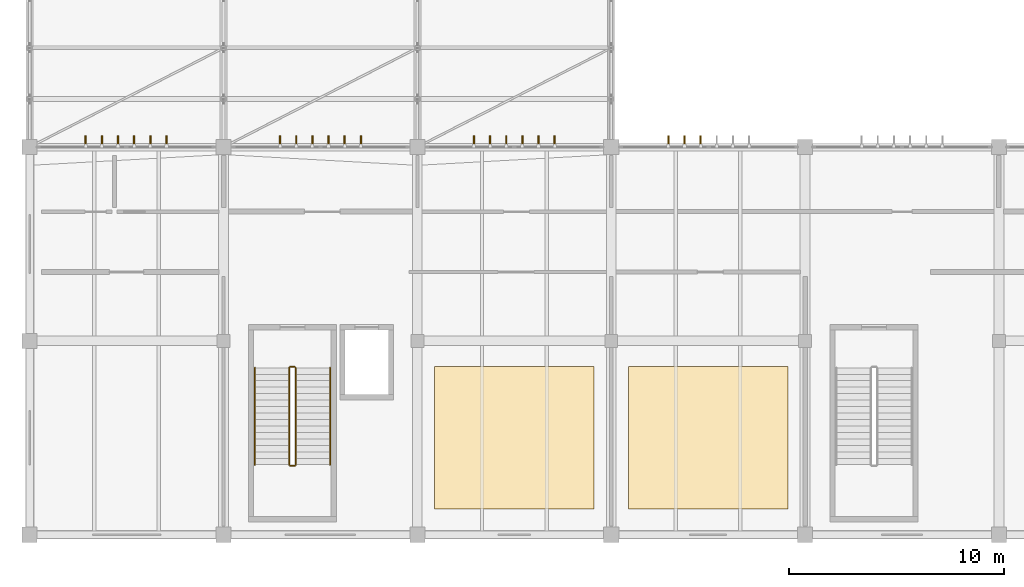
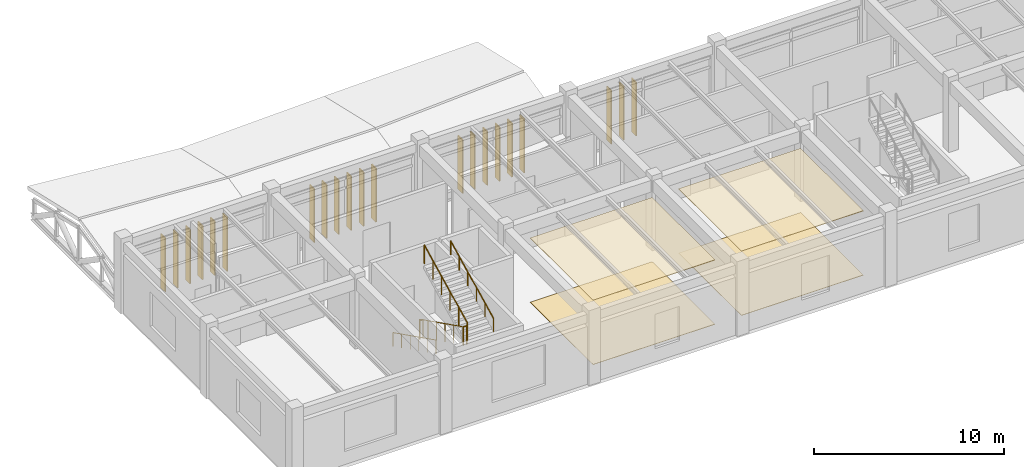
# One storey, part 55 of 61: 21 shading devices, 6 railings, 4 coverings.
"""IFC4 building model written with IfcOpenShell, lengths in metres."""

from ifc_helpers import new_model, si_unit, direction, frame, origin, origin_2d, place, context, subcontext, project, spatial, polyline, rectangle, circle, outline, extrude, material, layer, layer_set, type_object, element, save


model = new_model("IFC4")

# Units and contexts
model_context = context("Model", 3, precision=1e-05, world=origin(), true_north=direction((0.0, 1.0)))
body_context = subcontext(model_context, "Body", "Model", "MODEL_VIEW")
ifc_project = project(units=[si_unit("LENGTHUNIT", "METRE"), si_unit("AREAUNIT", "SQUARE_METRE"), si_unit("VOLUMEUNIT", "CUBIC_METRE"), si_unit("PLANEANGLEUNIT", "RADIAN"), si_unit("MASSUNIT", "GRAM", prefix="KILO")], contexts=[model_context])

# Site, building, storey
site_placement = place(None, origin())
site = spatial("IfcSite", under=ifc_project, at=site_placement, CompositionType="ELEMENT")
building_placement = place(site_placement, origin())
building = spatial("IfcBuilding", under=site, at=building_placement, Name="Bozkorgan Art Gallery", CompositionType="ELEMENT")
storey_placement = place(building_placement, frame((0.0, 0.0, 10.199951171875)))
storey = spatial("IfcBuildingStorey", under=building, at=storey_placement, Name="L02", CompositionType="ELEMENT", Elevation=10.199951171875)

# Coverings
ifc_material_1 = material(Name="Micro-Perforated Acoustic Gypsum Board")
ifc_layer_1 = layer(ifc_material_1, 0.034912109375, Name="Micro-Perforated Acoustic Gypsum Board")
ifc_layer_set_1 = layer_set([ifc_layer_1], Name="Micro-Perforated Acoustic Gypsum Board")
covering_type_1 = type_object("IfcCoveringType", Name="COV-CEIL-01", PredefinedType="CEILING", material=ifc_layer_set_1)
covering_1_placement = place(storey_placement, frame((0.0, 0.0, 4.114990234375)))
element("IfcCovering", 1, at=covering_1_placement, inside=storey, type_object=covering_type_1, Name="V1 L02 acoustic gallery ceiling 5", PredefinedType="CEILING", context=body_context, shape_type="SweptSolid", body=[
    extrude(outline(polyline([(20.800048828125, 3.199951171875), (28.199951171875, 3.199951171875), (28.199951171875, 9.800048828125), (20.800048828125, 9.800048828125), (20.800048828125, 3.199951171875)])), origin(), (0.0, 0.0, 1.0), 0.03515625),
])
covering_2_placement = place(storey_placement, frame((0.0, 0.0, 4.114990234375)))
element("IfcCovering", 2, at=covering_2_placement, inside=storey, type_object=covering_type_1, Name="V1 L02 acoustic gallery ceiling 6", PredefinedType="CEILING", context=body_context, shape_type="SweptSolid", body=[
    extrude(outline(polyline([(29.800048828125, 3.199951171875), (37.199951171875, 3.199951171875), (37.199951171875, 9.800048828125), (29.800048828125, 9.800048828125), (29.800048828125, 3.199951171875)])), origin(), (0.0, 0.0, 1.0), 0.03515625),
])
ifc_material_2 = material(Name="Polished Kordai Granite Terrazzo", Category="masonry")
ifc_layer_2 = layer(ifc_material_2, 0.02490234375, Name="Polished Kordai Granite Terrazzo")
ifc_layer_set_2 = layer_set([ifc_layer_2], Name="Polished Kordai Granite Terrazzo")
covering_type_2 = type_object("IfcCoveringType", Name="COV-FLR-01", PredefinedType="FLOORING", material=ifc_layer_set_2)
covering_3_placement = place(storey_placement, origin())
element("IfcCovering", 3, at=covering_3_placement, inside=storey, type_object=covering_type_2, Name="V1 L02 terrazzo gallery flooring 5", PredefinedType="FLOORING", context=body_context, shape_type="SweptSolid", body=[
    extrude(outline(polyline([(20.800048828125, 3.199951171875), (28.199951171875, 3.199951171875), (28.199951171875, 9.800048828125), (20.800048828125, 9.800048828125), (20.800048828125, 3.199951171875)])), origin(), (0.0, 0.0, 1.0), 0.025146484375),
])
covering_4_placement = place(storey_placement, origin())
element("IfcCovering", 4, at=covering_4_placement, inside=storey, type_object=covering_type_2, Name="V1 L02 terrazzo gallery flooring 6", PredefinedType="FLOORING", context=body_context, shape_type="SweptSolid", body=[
    extrude(outline(polyline([(29.800048828125, 3.199951171875), (37.199951171875, 3.199951171875), (37.199951171875, 9.800048828125), (29.800048828125, 9.800048828125), (29.800048828125, 3.199951171875)])), origin(), (0.0, 0.0, 1.0), 0.025146484375),
])

# Railings
ifc_material_3 = material(Name="Steel S355J2", Category="steel")
railing_type_1 = type_object("IfcRailingType", Name="RAIL-GRD-115", PredefinedType="GUARDRAIL", material=ifc_material_3)
railing_1_placement = place(storey_placement, frame((14.050048828125, 9.75, 0.150146484375)))
element("IfcRailing", 5, at=railing_1_placement, inside=storey, type_object=railing_type_1, Name="L02 ST1 stair guard 1", PredefinedType="GUARDRAIL", context=body_context, shape_type="SweptSolid", body=[
    extrude(circle(Radius=0.02392578125, at=origin_2d()), frame((0.0, 0.0, 1.17578125), z_axis=(0.0, -0.894427191, 0.4472135955), x_axis=(1.0, 0.0, 0.0)), (0.0, 0.0, 1.0), 5.03125),
    extrude(circle(Radius=0.02099609375, at=origin_2d()), origin(), (0.0, 0.0, 1.0), 1.15185546875),
    extrude(circle(Radius=0.02099609375, at=origin_2d()), frame((0.0, -0.89990234375, 0.449951171875)), (0.0, 0.0, 1.0), 1.15185546875),
    extrude(circle(Radius=0.02099609375, at=origin_2d()), frame((0.0, -1.800048828125, 0.89990234375)), (0.0, 0.0, 1.0), 1.15185546875),
    extrude(circle(Radius=0.02099609375, at=origin_2d()), frame((0.0, -2.699951171875, 1.35009765625)), (0.0, 0.0, 1.0), 1.15185546875),
    extrude(circle(Radius=0.02099609375, at=origin_2d()), frame((0.0, -3.60009765625, 1.800048828125)), (0.0, 0.0, 1.0), 1.15185546875),
    extrude(circle(Radius=0.02099609375, at=origin_2d()), frame((0.0, -4.5, 2.25)), (0.0, 0.0, 1.0), 1.15185546875),
])
railing_2_placement = place(storey_placement, frame((14.10009765625, 5.199951171875, 2.400146484375)))
element("IfcRailing", 6, at=railing_2_placement, inside=storey, type_object=railing_type_1, Name="L02 ST1 stair guard 2", PredefinedType="GUARDRAIL", context=body_context, shape_type="SweptSolid", body=[
    extrude(circle(Radius=0.02392578125, at=origin_2d()), frame((0.0, 0.0, 1.17578125), z_axis=(1.0, 0.0, 0.0), x_axis=(0.0, 1.0, 0.0)), (0.0, 0.0, 1.0), 0.199951171875),
    extrude(circle(Radius=0.02099609375, at=origin_2d()), origin(), (0.0, 0.0, 1.0), 1.15185546875),
    extrude(circle(Radius=0.02099609375, at=origin_2d()), frame((0.199951171875, 0.0, 0.0)), (0.0, 0.0, 1.0), 1.15185546875),
])
railing_3_placement = place(storey_placement, frame((14.35009765625, 5.25, 2.550048828125)))
element("IfcRailing", 7, at=railing_3_placement, inside=storey, type_object=railing_type_1, Name="L02 ST1 stair guard 3", PredefinedType="GUARDRAIL", context=body_context, shape_type="SweptSolid", body=[
    extrude(circle(Radius=0.02392578125, at=origin_2d()), frame((0.0, 0.0, 1.17578125), z_axis=(0.0, 0.894427191, 0.4472135955), x_axis=(-1.0, 0.0, 0.0)), (0.0, 0.0, 1.0), 5.03125),
    extrude(circle(Radius=0.02099609375, at=origin_2d()), origin(), (0.0, 0.0, 1.0), 1.15185546875),
    extrude(circle(Radius=0.02099609375, at=origin_2d()), frame((0.0, 0.89990234375, 0.449951171875)), (0.0, 0.0, 1.0), 1.15185546875),
    extrude(circle(Radius=0.02099609375, at=origin_2d()), frame((0.0, 1.800048828125, 0.89990234375)), (0.0, 0.0, 1.0), 1.15185546875),
    extrude(circle(Radius=0.02099609375, at=origin_2d()), frame((0.0, 2.699951171875, 1.35009765625)), (0.0, 0.0, 1.0), 1.15185546875),
    extrude(circle(Radius=0.02099609375, at=origin_2d()), frame((0.0, 3.60009765625, 1.800048828125)), (0.0, 0.0, 1.0), 1.15185546875),
    extrude(circle(Radius=0.02099609375, at=origin_2d()), frame((0.0, 4.5, 2.25)), (0.0, 0.0, 1.0), 1.15185546875),
])
railing_4_placement = place(storey_placement, frame((14.10009765625, 9.800048828125, 0.0)))
element("IfcRailing", 8, at=railing_4_placement, inside=storey, type_object=railing_type_1, Name="L02 ST1 stair guard 4", PredefinedType="GUARDRAIL", context=body_context, shape_type="SweptSolid", body=[
    extrude(circle(Radius=0.02392578125, at=origin_2d()), frame((0.0, 0.0, 1.17578125), z_axis=(1.0, 0.0, 0.0), x_axis=(0.0, 1.0, 0.0)), (0.0, 0.0, 1.0), 0.199951171875),
    extrude(circle(Radius=0.02099609375, at=origin_2d()), origin(), (0.0, 0.0, 1.0), 1.15185546875),
    extrude(circle(Radius=0.02099609375, at=origin_2d()), frame((0.199951171875, 0.0, 0.0)), (0.0, 0.0, 1.0), 1.15185546875),
])
railing_type_2 = type_object("IfcRailingType", Name="RAIL-HND-092", PredefinedType="HANDRAIL", material=ifc_material_3)
railing_5_placement = place(storey_placement, frame((12.449951171875, 9.75, 0.150146484375)))
element("IfcRailing", 9, at=railing_5_placement, inside=storey, type_object=railing_type_2, Name="L02 ST1 stair handrail 1", PredefinedType="HANDRAIL", context=body_context, shape_type="SweptSolid", body=[
    extrude(circle(Radius=0.02392578125, at=origin_2d()), frame((0.0, 0.0, 0.8759765625), z_axis=(0.0, -0.894427191, 0.4472135955), x_axis=(1.0, 0.0, 0.0)), (0.0, 0.0, 1.0), 5.03125),
    extrude(circle(Radius=0.02099609375, at=origin_2d()), origin(), (0.0, 0.0, 1.0), 0.851806640625),
    extrude(circle(Radius=0.02099609375, at=origin_2d()), frame((0.0, -0.89990234375, 0.449951171875)), (0.0, 0.0, 1.0), 0.851806640625),
    extrude(circle(Radius=0.02099609375, at=origin_2d()), frame((0.0, -1.800048828125, 0.89990234375)), (0.0, 0.0, 1.0), 0.851806640625),
    extrude(circle(Radius=0.02099609375, at=origin_2d()), frame((0.0, -2.699951171875, 1.35009765625)), (0.0, 0.0, 1.0), 0.851806640625),
    extrude(circle(Radius=0.02099609375, at=origin_2d()), frame((0.0, -3.60009765625, 1.800048828125)), (0.0, 0.0, 1.0), 0.851806640625),
    extrude(circle(Radius=0.02099609375, at=origin_2d()), frame((0.0, -4.5, 2.25)), (0.0, 0.0, 1.0), 0.851806640625),
])
railing_6_placement = place(storey_placement, frame((15.949951171875, 5.25, 2.550048828125)))
element("IfcRailing", 10, at=railing_6_placement, inside=storey, type_object=railing_type_2, Name="L02 ST1 stair handrail 2", PredefinedType="HANDRAIL", context=body_context, shape_type="SweptSolid", body=[
    extrude(circle(Radius=0.02392578125, at=origin_2d()), frame((0.0, 0.0, 0.8759765625), z_axis=(0.0, 0.894427191, 0.4472135955), x_axis=(-1.0, 0.0, 0.0)), (0.0, 0.0, 1.0), 5.03125),
    extrude(circle(Radius=0.02099609375, at=origin_2d()), origin(), (0.0, 0.0, 1.0), 0.851806640625),
    extrude(circle(Radius=0.02099609375, at=origin_2d()), frame((0.0, 0.89990234375, 0.449951171875)), (0.0, 0.0, 1.0), 0.851806640625),
    extrude(circle(Radius=0.02099609375, at=origin_2d()), frame((0.0, 1.800048828125, 0.89990234375)), (0.0, 0.0, 1.0), 0.851806640625),
    extrude(circle(Radius=0.02099609375, at=origin_2d()), frame((0.0, 2.699951171875, 1.35009765625)), (0.0, 0.0, 1.0), 0.851806640625),
    extrude(circle(Radius=0.02099609375, at=origin_2d()), frame((0.0, 3.60009765625, 1.800048828125)), (0.0, 0.0, 1.0), 0.851806640625),
    extrude(circle(Radius=0.02099609375, at=origin_2d()), frame((0.0, 4.5, 2.25)), (0.0, 0.0, 1.0), 0.851806640625),
])

# Shading devices
ifc_material_4 = material(Name="Polychrome Vitrified Ceramic Tile")
shading_device_type = type_object("IfcShadingDeviceType", Name="SHD-FIN-01", PredefinedType="USERDEFINED", material=ifc_material_4)
for number, where, z_axis, x_axis, name in (
    (11, (4.60009765625, 20.280029296875, 0.139892578125), (0.0, 0.0, 1.0), (0.0, 1.0, 0.0), "CW-V1-L02-1N-02 vertical solar fin 1"),
    (12, (5.35009765625, 20.280029296875, 0.139892578125), (0.0, 0.0, 1.0), (0.0, 1.0, 0.0), "CW-V1-L02-1N-02 vertical solar fin 2"),
    (13, (6.10009765625, 20.280029296875, 0.139892578125), (0.0, 0.0, 1.0), (0.0, 1.0, 0.0), "CW-V1-L02-1N-02 vertical solar fin 3"),
    (14, (6.85009765625, 20.280029296875, 0.139892578125), (0.0, 0.0, 1.0), (0.0, 1.0, 0.0), "CW-V1-L02-1N-02 vertical solar fin 4"),
    (15, (7.60009765625, 20.280029296875, 0.139892578125), (0.0, 0.0, 1.0), (0.0, 1.0, 0.0), "CW-V1-L02-1N-02 vertical solar fin 5"),
    (16, (8.35009765625, 20.280029296875, 0.139892578125), (0.0, 0.0, 1.0), (0.0, 1.0, 0.0), "CW-V1-L02-1N-02 vertical solar fin 6"),
    (17, (13.625, 20.280029296875, 0.139892578125), (0.0, 0.0, 1.0), (0.0, 1.0, 0.0), "CW-V1-L02-1N-04 vertical solar fin 1"),
    (18, (14.375, 20.280029296875, 0.139892578125), (0.0, 0.0, 1.0), (0.0, 1.0, 0.0), "CW-V1-L02-1N-04 vertical solar fin 2"),
    (19, (15.125, 20.280029296875, 0.139892578125), (0.0, 0.0, 1.0), (0.0, 1.0, 0.0), "CW-V1-L02-1N-04 vertical solar fin 3"),
    (20, (15.875, 20.280029296875, 0.139892578125), (0.0, 0.0, 1.0), (0.0, 1.0, 0.0), "CW-V1-L02-1N-04 vertical solar fin 4"),
    (21, (16.625, 20.280029296875, 0.139892578125), (0.0, 0.0, 1.0), (0.0, 1.0, 0.0), "CW-V1-L02-1N-04 vertical solar fin 5"),
    (22, (17.375, 20.280029296875, 0.139892578125), (0.0, 0.0, 1.0), (0.0, 1.0, 0.0), "CW-V1-L02-1N-04 vertical solar fin 6"),
    (23, (22.625, 20.280029296875, 0.139892578125), (0.0, 0.0, 1.0), (0.0, 1.0, 0.0), "CW-V1-L02-1N-06 vertical solar fin 1"),
    (24, (23.375, 20.280029296875, 0.139892578125), (0.0, 0.0, 1.0), (0.0, 1.0, 0.0), "CW-V1-L02-1N-06 vertical solar fin 2"),
    (25, (24.125, 20.280029296875, 0.139892578125), (0.0, 0.0, 1.0), (0.0, 1.0, 0.0), "CW-V1-L02-1N-06 vertical solar fin 3"),
    (26, (24.875, 20.280029296875, 0.139892578125), (0.0, 0.0, 1.0), (0.0, 1.0, 0.0), "CW-V1-L02-1N-06 vertical solar fin 4"),
    (27, (25.625, 20.280029296875, 0.139892578125), (0.0, 0.0, 1.0), (0.0, 1.0, 0.0), "CW-V1-L02-1N-06 vertical solar fin 5"),
    (28, (26.375, 20.280029296875, 0.139892578125), (0.0, 0.0, 1.0), (0.0, 1.0, 0.0), "CW-V1-L02-1N-06 vertical solar fin 6"),
    (29, (31.64990234375, 20.280029296875, 0.139892578125), (0.0, 0.0, 1.0), (0.0, 1.0, 0.0), "CW-V1-L02-1N-08 vertical solar fin 1"),
    (30, (32.39990234375, 20.280029296875, 0.139892578125), (0.0, 0.0, 1.0), (0.0, 1.0, 0.0), "CW-V1-L02-1N-08 vertical solar fin 2"),
    (31, (33.14990234375, 20.280029296875, 0.139892578125), (0.0, 0.0, 1.0), (0.0, 1.0, 0.0), "CW-V1-L02-1N-08 vertical solar fin 3"),
):
    element("IfcShadingDevice", number, at=place(storey_placement, frame(where, z_axis=z_axis, x_axis=x_axis)), inside=storey, type_object=shading_device_type, Name=name, ObjectType="FIN", PredefinedType="USERDEFINED", context=body_context, shape_type="SweptSolid", body=[
        extrude(rectangle(XDim=0.47998046875, YDim=0.06494140625, at=origin_2d()), origin(), (0.0, 0.0, 1.0), 3.455078125),
    ])

save(model, "model.ifc")
